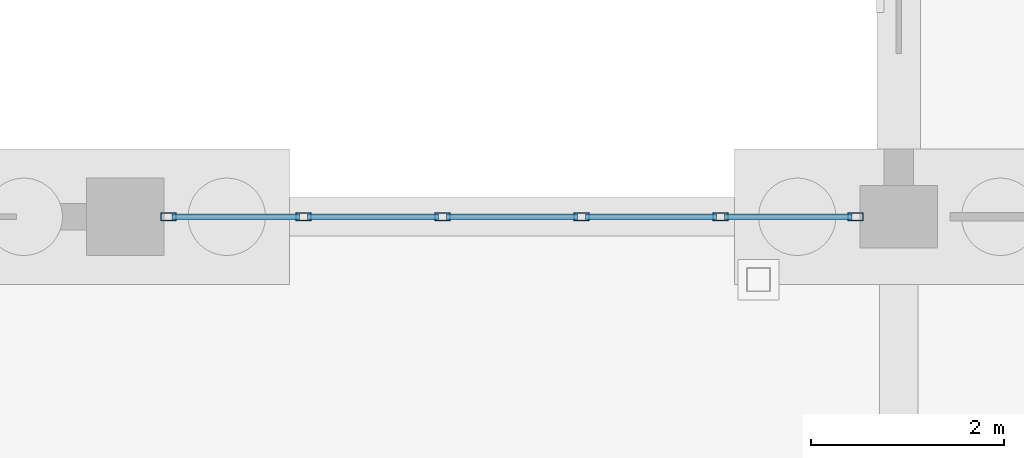
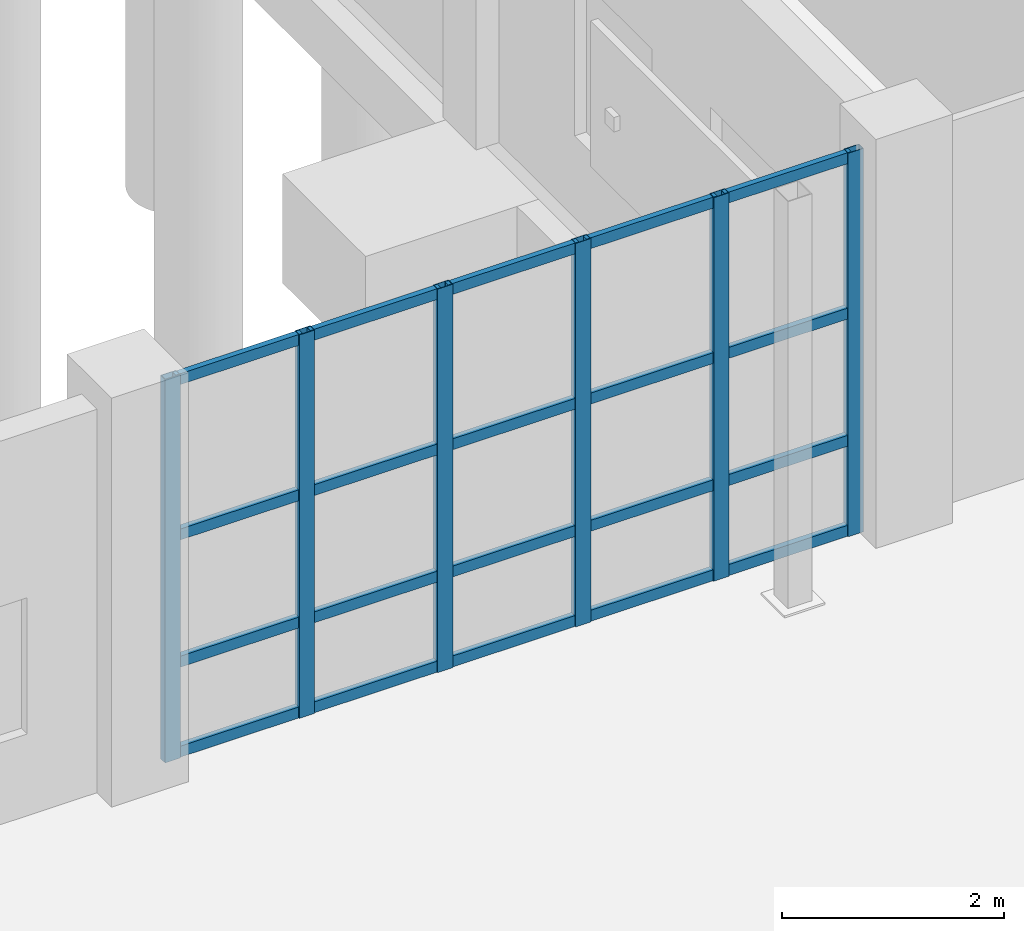
# One storey, part 60 of 166: 26 members, 1 element without a shape of its own.
"""IFC4 building model written with IfcOpenShell, lengths in metres."""

from ifc_helpers import new_model, si_unit, direction, frame, origin, origin_2d, place, context, subcontext, project, spatial, hollow_rectangle, extrude, material, material_profile, profile_set, type_object, element, aggregate, save


model = new_model("IFC4")

# Units and contexts
model_context = context("Model", 3, precision=1e-05, world=origin(), true_north=direction((0.0, 1.0)))
body_context = subcontext(model_context, "Body", "Model", "MODEL_VIEW")
ifc_project = project(units=[si_unit("LENGTHUNIT", "METRE"), si_unit("AREAUNIT", "SQUARE_METRE"), si_unit("VOLUMEUNIT", "CUBIC_METRE"), si_unit("PLANEANGLEUNIT", "RADIAN"), si_unit("MASSUNIT", "GRAM", prefix="KILO")], contexts=[model_context])

# Site, building, storey
site_placement = place(None, origin())
site = spatial("IfcSite", under=ifc_project, at=site_placement, CompositionType="ELEMENT")
building_placement = place(site_placement, origin())
building = spatial("IfcBuilding", under=site, at=building_placement, Name="Kharva Crest Polytechnic", CompositionType="ELEMENT")
storey_placement = place(building_placement, origin())
storey = spatial("IfcBuildingStorey", under=building, at=storey_placement, Name="L00", CompositionType="ELEMENT", Elevation=0.0)

# Curtain wall, members
ifc_material_1 = material(Name="Tempered insulated glass", Category="glass")
curtain_wall_type = type_object("IfcCurtainWallType", Name="CW-SYS-COURT", PredefinedType="USERDEFINED", material=ifc_material_1)
curtain_wall_placement = place(storey_placement, origin())
curtain_wall = element("IfcCurtainWall", 1, at=curtain_wall_placement, inside=storey, type_object=curtain_wall_type, Name="L00 Glazed Curtain Wall CW-031", ObjectType="CURTAIN WALL", PredefinedType="USERDEFINED")
ifc_material_2 = material(Name="Steel S355", Category="steel")
ifc_material_profile_1 = material_profile(ifc_material_2, hollow_rectangle(XDim=0.080078125, YDim=0.159912109375, WallThickness=0.0048828125, at=origin_2d()), Name="RHS 160X80X5.0")
ifc_profile_set_1 = profile_set([ifc_material_profile_1], Name="Steel S355")
member_type_1 = type_object("IfcMemberType", Name="CWM-RHS160X80", PredefinedType="MULLION", material=ifc_profile_set_1)
member_1_placement = place(storey_placement, frame((31.554931640625, 93.199951171875, 0.0), z_axis=(0.0, 0.0, 1.0), x_axis=(0.0, -1.0, 0.0)))
member_1 = element("IfcMember", 2, at=member_1_placement, type_object=member_type_1, Name="CW-031 mullion 1", PredefinedType="MULLION", context=body_context, shape_type="SweptSolid", body=[
    extrude(hollow_rectangle(XDim=0.080078125, YDim=0.159912109375, WallThickness=0.0048828125, at=origin_2d()), origin(), (0.0, 0.0, 1.0), 4.219970703125),
])
member_2_placement = place(storey_placement, frame((30.156982421875, 93.199951171875, 0.0), z_axis=(0.0, 0.0, 1.0), x_axis=(0.0, -1.0, 0.0)))
member_2 = element("IfcMember", 3, at=member_2_placement, type_object=member_type_1, Name="CW-031 mullion 2", PredefinedType="MULLION", context=body_context, shape_type="SweptSolid", body=[
    extrude(hollow_rectangle(XDim=0.080078125, YDim=0.159912109375, WallThickness=0.0048828125, at=origin_2d()), origin(), (0.0, 0.0, 1.0), 4.219970703125),
])
member_3_placement = place(storey_placement, frame((28.718994140625, 93.199951171875, 0.0), z_axis=(0.0, 0.0, 1.0), x_axis=(0.0, -1.0, 0.0)))
member_3 = element("IfcMember", 4, at=member_3_placement, type_object=member_type_1, Name="CW-031 mullion 3", PredefinedType="MULLION", context=body_context, shape_type="SweptSolid", body=[
    extrude(hollow_rectangle(XDim=0.080078125, YDim=0.159912109375, WallThickness=0.0048828125, at=origin_2d()), origin(), (0.0, 0.0, 1.0), 4.219970703125),
])
member_4_placement = place(storey_placement, frame((27.281005859375, 93.199951171875, 0.0), z_axis=(0.0, 0.0, 1.0), x_axis=(0.0, -1.0, 0.0)))
member_4 = element("IfcMember", 5, at=member_4_placement, type_object=member_type_1, Name="CW-031 mullion 4", PredefinedType="MULLION", context=body_context, shape_type="SweptSolid", body=[
    extrude(hollow_rectangle(XDim=0.080078125, YDim=0.159912109375, WallThickness=0.0048828125, at=origin_2d()), origin(), (0.0, 0.0, 1.0), 4.219970703125),
])
member_5_placement = place(storey_placement, frame((25.843017578125, 93.199951171875, 0.0), z_axis=(0.0, 0.0, 1.0), x_axis=(0.0, -1.0, 0.0)))
member_5 = element("IfcMember", 6, at=member_5_placement, type_object=member_type_1, Name="CW-031 mullion 5", PredefinedType="MULLION", context=body_context, shape_type="SweptSolid", body=[
    extrude(hollow_rectangle(XDim=0.080078125, YDim=0.159912109375, WallThickness=0.0048828125, at=origin_2d()), origin(), (0.0, 0.0, 1.0), 4.219970703125),
])
member_6_placement = place(storey_placement, frame((24.445068359375, 93.199951171875, 0.0), z_axis=(0.0, 0.0, 1.0), x_axis=(0.0, -1.0, 0.0)))
member_6 = element("IfcMember", 7, at=member_6_placement, type_object=member_type_1, Name="CW-031 mullion 6", PredefinedType="MULLION", context=body_context, shape_type="SweptSolid", body=[
    extrude(hollow_rectangle(XDim=0.080078125, YDim=0.159912109375, WallThickness=0.0048828125, at=origin_2d()), origin(), (0.0, 0.0, 1.0), 4.219970703125),
])
ifc_material_profile_2 = material_profile(ifc_material_2, hollow_rectangle(XDim=0.06005859375, YDim=0.1201171875, WallThickness=0.00390625, at=origin_2d()), Name="RHS 120X60X4.0")
ifc_profile_set_2 = profile_set([ifc_material_profile_2], Name="Steel S355")
member_type_2 = type_object("IfcMemberType", Name="CWT-RHS120X60", PredefinedType="USERDEFINED", material=ifc_profile_set_2)
member_7_placement = place(storey_placement, frame((31.514892578125, 93.199951171875, 0.06005859375), z_axis=(-1.0, 0.0, 0.0), x_axis=(0.0, -1.0, 0.0)))
member_7 = element("IfcMember", 8, at=member_7_placement, type_object=member_type_2, Name="CW-031 transom 1.1", ObjectType="TRANSOM", PredefinedType="USERDEFINED", context=body_context, shape_type="SweptSolid", body=[
    extrude(hollow_rectangle(XDim=0.06005859375, YDim=0.1201171875, WallThickness=0.00390625, at=origin_2d()), origin(), (0.0, 0.0, 1.0), 1.31787109375),
])
member_8_placement = place(storey_placement, frame((31.514892578125, 93.199951171875, 1.050048828125), z_axis=(-1.0, 0.0, 0.0), x_axis=(0.0, -1.0, 0.0)))
member_8 = element("IfcMember", 9, at=member_8_placement, type_object=member_type_2, Name="CW-031 transom 1.2", ObjectType="TRANSOM", PredefinedType="USERDEFINED", context=body_context, shape_type="SweptSolid", body=[
    extrude(hollow_rectangle(XDim=0.06005859375, YDim=0.1201171875, WallThickness=0.00390625, at=origin_2d()), origin(), (0.0, 0.0, 1.0), 1.31787109375),
])
member_9_placement = place(storey_placement, frame((31.514892578125, 93.199951171875, 2.449951171875), z_axis=(-1.0, 0.0, 0.0), x_axis=(0.0, -1.0, 0.0)))
member_9 = element("IfcMember", 10, at=member_9_placement, type_object=member_type_2, Name="CW-031 transom 1.3", ObjectType="TRANSOM", PredefinedType="USERDEFINED", context=body_context, shape_type="SweptSolid", body=[
    extrude(hollow_rectangle(XDim=0.06005859375, YDim=0.1201171875, WallThickness=0.00390625, at=origin_2d()), origin(), (0.0, 0.0, 1.0), 1.31787109375),
])
member_10_placement = place(storey_placement, frame((31.514892578125, 93.199951171875, 4.159912109375), z_axis=(-1.0, 0.0, 0.0), x_axis=(0.0, -1.0, 0.0)))
member_10 = element("IfcMember", 11, at=member_10_placement, type_object=member_type_2, Name="CW-031 transom 1.4", ObjectType="TRANSOM", PredefinedType="USERDEFINED", context=body_context, shape_type="SweptSolid", body=[
    extrude(hollow_rectangle(XDim=0.06005859375, YDim=0.1201171875, WallThickness=0.00390625, at=origin_2d()), origin(), (0.0, 0.0, 1.0), 1.31787109375),
])
member_11_placement = place(storey_placement, frame((30.116943359375, 93.199951171875, 0.06005859375), z_axis=(-1.0, 0.0, 0.0), x_axis=(0.0, -1.0, 0.0)))
member_11 = element("IfcMember", 12, at=member_11_placement, type_object=member_type_2, Name="CW-031 transom 2.1", ObjectType="TRANSOM", PredefinedType="USERDEFINED", context=body_context, shape_type="SweptSolid", body=[
    extrude(hollow_rectangle(XDim=0.06005859375, YDim=0.1201171875, WallThickness=0.00390625, at=origin_2d()), origin(), (0.0, 0.0, 1.0), 1.35791015625),
])
member_12_placement = place(storey_placement, frame((30.116943359375, 93.199951171875, 1.050048828125), z_axis=(-1.0, 0.0, 0.0), x_axis=(0.0, -1.0, 0.0)))
member_12 = element("IfcMember", 13, at=member_12_placement, type_object=member_type_2, Name="CW-031 transom 2.2", ObjectType="TRANSOM", PredefinedType="USERDEFINED", context=body_context, shape_type="SweptSolid", body=[
    extrude(hollow_rectangle(XDim=0.06005859375, YDim=0.1201171875, WallThickness=0.00390625, at=origin_2d()), origin(), (0.0, 0.0, 1.0), 1.35791015625),
])
member_13_placement = place(storey_placement, frame((30.116943359375, 93.199951171875, 2.449951171875), z_axis=(-1.0, 0.0, 0.0), x_axis=(0.0, -1.0, 0.0)))
member_13 = element("IfcMember", 14, at=member_13_placement, type_object=member_type_2, Name="CW-031 transom 2.3", ObjectType="TRANSOM", PredefinedType="USERDEFINED", context=body_context, shape_type="SweptSolid", body=[
    extrude(hollow_rectangle(XDim=0.06005859375, YDim=0.1201171875, WallThickness=0.00390625, at=origin_2d()), origin(), (0.0, 0.0, 1.0), 1.35791015625),
])
member_14_placement = place(storey_placement, frame((30.116943359375, 93.199951171875, 4.159912109375), z_axis=(-1.0, 0.0, 0.0), x_axis=(0.0, -1.0, 0.0)))
member_14 = element("IfcMember", 15, at=member_14_placement, type_object=member_type_2, Name="CW-031 transom 2.4", ObjectType="TRANSOM", PredefinedType="USERDEFINED", context=body_context, shape_type="SweptSolid", body=[
    extrude(hollow_rectangle(XDim=0.06005859375, YDim=0.1201171875, WallThickness=0.00390625, at=origin_2d()), origin(), (0.0, 0.0, 1.0), 1.35791015625),
])
member_15_placement = place(storey_placement, frame((28.678955078125, 93.199951171875, 0.06005859375), z_axis=(-1.0, 0.0, 0.0), x_axis=(0.0, -1.0, 0.0)))
member_15 = element("IfcMember", 16, at=member_15_placement, type_object=member_type_2, Name="CW-031 transom 3.1", ObjectType="TRANSOM", PredefinedType="USERDEFINED", context=body_context, shape_type="SweptSolid", body=[
    extrude(hollow_rectangle(XDim=0.06005859375, YDim=0.1201171875, WallThickness=0.00390625, at=origin_2d()), origin(), (0.0, 0.0, 1.0), 1.35791015625),
])
member_16_placement = place(storey_placement, frame((28.678955078125, 93.199951171875, 1.050048828125), z_axis=(-1.0, 0.0, 0.0), x_axis=(0.0, -1.0, 0.0)))
member_16 = element("IfcMember", 17, at=member_16_placement, type_object=member_type_2, Name="CW-031 transom 3.2", ObjectType="TRANSOM", PredefinedType="USERDEFINED", context=body_context, shape_type="SweptSolid", body=[
    extrude(hollow_rectangle(XDim=0.06005859375, YDim=0.1201171875, WallThickness=0.00390625, at=origin_2d()), origin(), (0.0, 0.0, 1.0), 1.35791015625),
])
member_17_placement = place(storey_placement, frame((28.678955078125, 93.199951171875, 2.449951171875), z_axis=(-1.0, 0.0, 0.0), x_axis=(0.0, -1.0, 0.0)))
member_17 = element("IfcMember", 18, at=member_17_placement, type_object=member_type_2, Name="CW-031 transom 3.3", ObjectType="TRANSOM", PredefinedType="USERDEFINED", context=body_context, shape_type="SweptSolid", body=[
    extrude(hollow_rectangle(XDim=0.06005859375, YDim=0.1201171875, WallThickness=0.00390625, at=origin_2d()), origin(), (0.0, 0.0, 1.0), 1.35791015625),
])
member_18_placement = place(storey_placement, frame((28.678955078125, 93.199951171875, 4.159912109375), z_axis=(-1.0, 0.0, 0.0), x_axis=(0.0, -1.0, 0.0)))
member_18 = element("IfcMember", 19, at=member_18_placement, type_object=member_type_2, Name="CW-031 transom 3.4", ObjectType="TRANSOM", PredefinedType="USERDEFINED", context=body_context, shape_type="SweptSolid", body=[
    extrude(hollow_rectangle(XDim=0.06005859375, YDim=0.1201171875, WallThickness=0.00390625, at=origin_2d()), origin(), (0.0, 0.0, 1.0), 1.35791015625),
])
member_19_placement = place(storey_placement, frame((27.240966796875, 93.199951171875, 0.06005859375), z_axis=(-1.0, 0.0, 0.0), x_axis=(0.0, -1.0, 0.0)))
member_19 = element("IfcMember", 20, at=member_19_placement, type_object=member_type_2, Name="CW-031 transom 4.1", ObjectType="TRANSOM", PredefinedType="USERDEFINED", context=body_context, shape_type="SweptSolid", body=[
    extrude(hollow_rectangle(XDim=0.06005859375, YDim=0.1201171875, WallThickness=0.00390625, at=origin_2d()), origin(), (0.0, 0.0, 1.0), 1.35791015625),
])
member_20_placement = place(storey_placement, frame((27.240966796875, 93.199951171875, 1.050048828125), z_axis=(-1.0, 0.0, 0.0), x_axis=(0.0, -1.0, 0.0)))
member_20 = element("IfcMember", 21, at=member_20_placement, type_object=member_type_2, Name="CW-031 transom 4.2", ObjectType="TRANSOM", PredefinedType="USERDEFINED", context=body_context, shape_type="SweptSolid", body=[
    extrude(hollow_rectangle(XDim=0.06005859375, YDim=0.1201171875, WallThickness=0.00390625, at=origin_2d()), origin(), (0.0, 0.0, 1.0), 1.35791015625),
])
member_21_placement = place(storey_placement, frame((27.240966796875, 93.199951171875, 2.449951171875), z_axis=(-1.0, 0.0, 0.0), x_axis=(0.0, -1.0, 0.0)))
member_21 = element("IfcMember", 22, at=member_21_placement, type_object=member_type_2, Name="CW-031 transom 4.3", ObjectType="TRANSOM", PredefinedType="USERDEFINED", context=body_context, shape_type="SweptSolid", body=[
    extrude(hollow_rectangle(XDim=0.06005859375, YDim=0.1201171875, WallThickness=0.00390625, at=origin_2d()), origin(), (0.0, 0.0, 1.0), 1.35791015625),
])
member_22_placement = place(storey_placement, frame((27.240966796875, 93.199951171875, 4.159912109375), z_axis=(-1.0, 0.0, 0.0), x_axis=(0.0, -1.0, 0.0)))
member_22 = element("IfcMember", 23, at=member_22_placement, type_object=member_type_2, Name="CW-031 transom 4.4", ObjectType="TRANSOM", PredefinedType="USERDEFINED", context=body_context, shape_type="SweptSolid", body=[
    extrude(hollow_rectangle(XDim=0.06005859375, YDim=0.1201171875, WallThickness=0.00390625, at=origin_2d()), origin(), (0.0, 0.0, 1.0), 1.35791015625),
])
member_23_placement = place(storey_placement, frame((25.802978515625, 93.199951171875, 0.06005859375), z_axis=(-1.0, 0.0, 0.0), x_axis=(0.0, -1.0, 0.0)))
member_23 = element("IfcMember", 24, at=member_23_placement, type_object=member_type_2, Name="CW-031 transom 5.1", ObjectType="TRANSOM", PredefinedType="USERDEFINED", context=body_context, shape_type="SweptSolid", body=[
    extrude(hollow_rectangle(XDim=0.06005859375, YDim=0.1201171875, WallThickness=0.00390625, at=origin_2d()), origin(), (0.0, 0.0, 1.0), 1.31787109375),
])
member_24_placement = place(storey_placement, frame((25.802978515625, 93.199951171875, 1.050048828125), z_axis=(-1.0, 0.0, 0.0), x_axis=(0.0, -1.0, 0.0)))
member_24 = element("IfcMember", 25, at=member_24_placement, type_object=member_type_2, Name="CW-031 transom 5.2", ObjectType="TRANSOM", PredefinedType="USERDEFINED", context=body_context, shape_type="SweptSolid", body=[
    extrude(hollow_rectangle(XDim=0.06005859375, YDim=0.1201171875, WallThickness=0.00390625, at=origin_2d()), origin(), (0.0, 0.0, 1.0), 1.31787109375),
])
member_25_placement = place(storey_placement, frame((25.802978515625, 93.199951171875, 2.449951171875), z_axis=(-1.0, 0.0, 0.0), x_axis=(0.0, -1.0, 0.0)))
member_25 = element("IfcMember", 26, at=member_25_placement, type_object=member_type_2, Name="CW-031 transom 5.3", ObjectType="TRANSOM", PredefinedType="USERDEFINED", context=body_context, shape_type="SweptSolid", body=[
    extrude(hollow_rectangle(XDim=0.06005859375, YDim=0.1201171875, WallThickness=0.00390625, at=origin_2d()), origin(), (0.0, 0.0, 1.0), 1.31787109375),
])
member_26_placement = place(storey_placement, frame((25.802978515625, 93.199951171875, 4.159912109375), z_axis=(-1.0, 0.0, 0.0), x_axis=(0.0, -1.0, 0.0)))
member_26 = element("IfcMember", 27, at=member_26_placement, type_object=member_type_2, Name="CW-031 transom 5.4", ObjectType="TRANSOM", PredefinedType="USERDEFINED", context=body_context, shape_type="SweptSolid", body=[
    extrude(hollow_rectangle(XDim=0.06005859375, YDim=0.1201171875, WallThickness=0.00390625, at=origin_2d()), origin(), (0.0, 0.0, 1.0), 1.31787109375),
])
aggregate(curtain_wall, [member_1, member_2, member_3, member_4, member_5, member_6, member_7, member_8, member_9, member_10, member_11, member_12, member_13, member_14, member_15, member_16, member_17, member_18, member_19, member_20, member_21, member_22, member_23, member_24, member_25, member_26])

save(model, "model.ifc")
